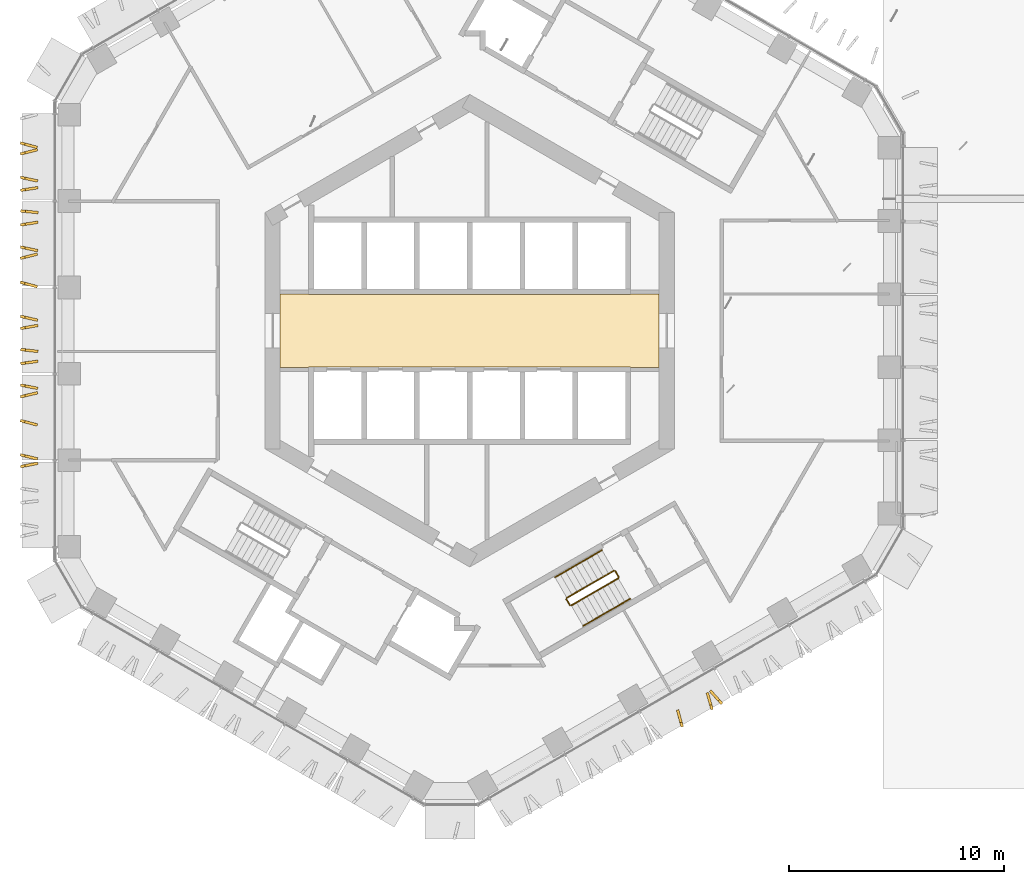
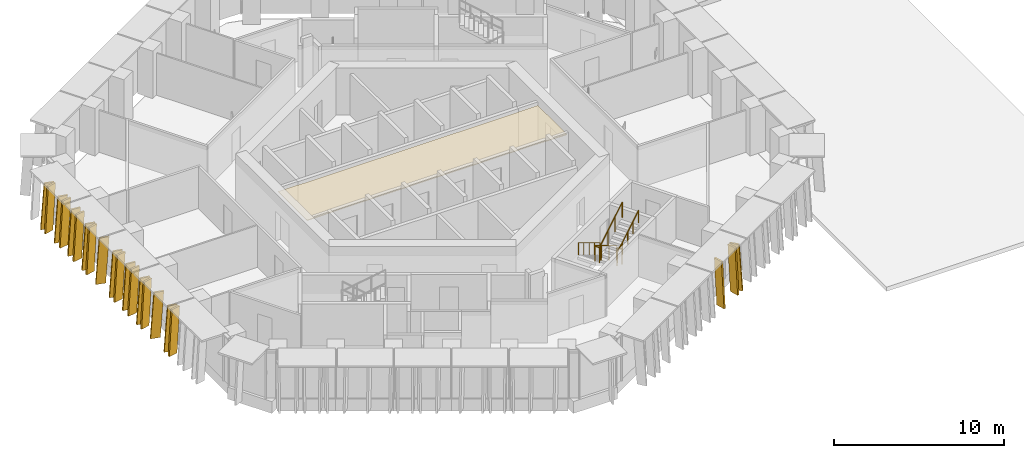
# One storey, part 23 of 25: 21 shading devices, 8 railings, 1 covering.
"""IFC4 building model written with IfcOpenShell, lengths in metres."""

from ifc_helpers import new_model, si_unit, direction, frame, origin, origin_2d, place, context, subcontext, project, spatial, polyline, circle, outline, extrude, material, layer, layer_set, type_object, element, save


model = new_model("IFC4")

# Units and contexts
model_context = context("Model", 3, precision=1e-05, world=origin(), true_north=direction((0.0, 1.0)))
body_context = subcontext(model_context, "Body", "Model", "MODEL_VIEW")
ifc_project = project(units=[si_unit("LENGTHUNIT", "METRE"), si_unit("AREAUNIT", "SQUARE_METRE"), si_unit("VOLUMEUNIT", "CUBIC_METRE"), si_unit("PLANEANGLEUNIT", "RADIAN"), si_unit("MASSUNIT", "GRAM", prefix="KILO")], contexts=[model_context])

# Site, building, storey
site_placement = place(None, origin())
site = spatial("IfcSite", under=ifc_project, at=site_placement, CompositionType="ELEMENT")
building_placement = place(site_placement, origin())
building = spatial("IfcBuilding", under=site, at=building_placement, Name="Ayvan Gate Tower", CompositionType="ELEMENT")
storey_placement = place(building_placement, frame((0.0, 0.0, 132.5)))
storey = spatial("IfcBuildingStorey", under=building, at=storey_placement, Name="L35", CompositionType="ELEMENT", Elevation=132.5)

# Shading devices
ifc_material_1 = material(Name="Bronze anodised aluminium", Category="aluminium")
ifc_layer_1 = layer(ifc_material_1, 0.1201171875)
ifc_layer_set_1 = layer_set([ifc_layer_1], Name="Bronze anodised aluminium")
shading_device_type = type_object("IfcShadingDeviceType", Name="Bronze fin 600 x 120", PredefinedType="USERDEFINED", material=ifc_layer_set_1)
shading_device_1_placement = place(storey_placement, frame((-20.266845703125, 8.62060546875, 0.0), z_axis=(0.258725893098, 0.965950681073, 0.000440426825), x_axis=(-0.965950774756, 0.258725918202, -2.3182e-08)))
element("IfcShadingDevice", 1, at=shading_device_1_placement, inside=storey, type_object=shading_device_type, Name="Bronze fin FG12.3.28", ObjectType="FIN", PredefinedType="USERDEFINED", context=body_context, shape_type="SweptSolid", body=[
    extrude(outline(polyline([(0.0, 0.0), (0.6000285213002343, 0.0), (0.3837875877383701, 3.2800296238951656), (-0.21647676138773228, 3.280029596069915), (0.0, 0.0)])), origin(), (0.0, 0.0, -1.0), 0.1201171875),
])
shading_device_2_placement = place(storey_placement, frame((-20.2919921875, 8.409912109375, 0.0), z_axis=(-0.242487733686, 0.970154364051, 0.000457083773), x_axis=(-0.970154465393, -0.242487759027, 2.2552e-08)))
element("IfcShadingDevice", 2, at=shading_device_2_placement, inside=storey, type_object=shading_device_type, Name="Bronze fin FG12.3.29", ObjectType="FIN", PredefinedType="USERDEFINED", context=body_context, shape_type="SweptSolid", body=[
    extrude(outline(polyline([(0.0, 0.0), (0.599944079559841, 0.0), (0.3836397257136315, 3.280029630864218), (-0.21654120796373727, 3.2800296579294277), (0.0, 0.0)])), origin(), (0.0, 0.0, -1.0), 0.1201171875),
])
shading_device_3_placement = place(storey_placement, frame((-20.254638671875, 7.0546875, 0.0), z_axis=(0.205067093674, 0.978747805222, 0.000469962837), x_axis=(-0.97874791331, 0.205067116311, 1.9602e-08)))
element("IfcShadingDevice", 3, at=shading_device_3_placement, inside=storey, type_object=shading_device_type, Name="Bronze fin FG12.3.30", ObjectType="FIN", PredefinedType="USERDEFINED", context=body_context, shape_type="SweptSolid", body=[
    extrude(outline(polyline([(0.0, 0.0), (0.6001516860458093, 6.776263578034403e-21), (0.3835679957752808, 3.280029651578166), (-0.21634473814325555, 3.280029675102272), (0.0, 0.0)])), origin(), (0.0, 0.0, -1.0), 0.1201171875),
])
shading_device_4_placement = place(storey_placement, frame((-20.264404296875, 6.66943359375, 0.0), z_axis=(-0.150956354175, 0.988540330106, 0.000441461744), x_axis=(-0.988540426432, -0.150956368891, 1.3561e-08)))
element("IfcShadingDevice", 4, at=shading_device_4_placement, inside=storey, type_object=shading_device_type, Name="Bronze fin FG12.3.31", ObjectType="FIN", PredefinedType="USERDEFINED", context=body_context, shape_type="SweptSolid", body=[
    extrude(outline(polyline([(0.0, 0.0), (0.5998948995759216, -6.776263578034403e-21), (0.38351985391858484, 3.2800296112942298), (-0.21661638853488369, 3.280029627567391), (0.0, 0.0)])), origin(), (0.0, 0.0, -1.0), 0.1201171875),
])
shading_device_5_placement = place(storey_placement, frame((-20.2412109375, 5.564697265625, 0.0), z_axis=(0.094424936455, 0.995531873137, 0.000470046493), x_axis=(-0.995531983115, 0.094424946886, 0.0)))
element("IfcShadingDevice", 5, at=shading_device_5_placement, inside=storey, type_object=shading_device_type, Name="Bronze fin FG12.3.32", ObjectType="FIN", PredefinedType="USERDEFINED", context=body_context, shape_type="SweptSolid", body=[
    extrude(outline(polyline([(0.0, 0.0), (0.5998481001898661, 3.3881317890172014e-21), (0.3834034091919473, 3.2800296592259737), (-0.2164446909979188, 3.2800296592259737), (0.0, 0.0)])), origin(), (0.0, 0.0, -1.0), 0.1201171875),
])
shading_device_6_placement = place(storey_placement, frame((-20.265380859375, 5.063720703125, 0.0), z_axis=(-0.156213230418, 0.987723238161, 0.000481080938), x_axis=(-0.98772335246, -0.156213248494, 0.0)))
element("IfcShadingDevice", 6, at=shading_device_6_placement, inside=storey, type_object=shading_device_type, Name="Bronze fin FG12.3.33", ObjectType="FIN", PredefinedType="USERDEFINED", context=body_context, shape_type="SweptSolid", body=[
    extrude(outline(polyline([(0.0, 0.0), (0.60014115898309, 0.0), (0.3838653275484653, 3.280029676438202), (-0.21627583143462467, 3.280029676438202), (0.0, 0.0)])), origin(), (0.0, 0.0, -1.0), 0.1201171875),
])
shading_device_7_placement = place(storey_placement, frame((-20.25537109375, 3.821044921875, 0.0), z_axis=(0.208111763884, 0.978104946976, 0.00045435094), x_axis=(-0.978105047925, 0.208111785405, -9.0402e-08)))
element("IfcShadingDevice", 7, at=shading_device_7_placement, inside=storey, type_object=shading_device_type, Name="Bronze fin FG12.3.34", ObjectType="FIN", PredefinedType="USERDEFINED", context=body_context, shape_type="SweptSolid", body=[
    extrude(outline(polyline([(0.0, 0.0), (0.6000775804047945, 6.776263578034403e-21), (0.38357622858103696, 3.280029670107305), (-0.21645054328239877, 3.280029561615085), (0.0, 0.0)])), origin(), (0.0, 0.0, -1.0), 0.1201171875),
])
shading_device_8_placement = place(storey_placement, frame((-20.29248046875, 3.5634765625, 0.0), z_axis=(-0.243780275478, 0.96983037807, 0.000463746765), x_axis=(-0.969830482356, -0.243780301692, 0.0)))
element("IfcShadingDevice", 8, at=shading_device_8_placement, inside=storey, type_object=shading_device_type, Name="Bronze fin FG12.3.35", ObjectType="FIN", PredefinedType="USERDEFINED", context=body_context, shape_type="SweptSolid", body=[
    extrude(outline(polyline([(0.0, 0.0), (0.5998853613691312, 0.0), (0.3835235672617396, 3.2800296495783496), (-0.21636179410739162, 3.2800296495783496), (0.0, 0.0)])), origin(), (0.0, 0.0, -1.0), 0.1201171875),
])
shading_device_9_placement = place(storey_placement, frame((-20.266845703125, 2.154296875, 0.0), z_axis=(0.258397037578, 0.966038688519, 0.000472498825), x_axis=(-0.966038796356, 0.258397066422, 0.0)))
element("IfcShadingDevice", 9, at=shading_device_9_placement, inside=storey, type_object=shading_device_type, Name="Bronze fin FG12.3.36", ObjectType="FIN", PredefinedType="USERDEFINED", context=body_context, shape_type="SweptSolid", body=[
    extrude(outline(polyline([(0.0, 0.0), (0.5999653905582442, 2.710505431213761e-20), (0.3837250481029224, 3.2800296630167605), (-0.2162403424553217, 3.2800296630167605), (0.0, 0.0)])), origin(), (0.0, 0.0, -1.0), 0.1201171875),
])
shading_device_10_placement = place(storey_placement, frame((-20.2578125, 0.594970703125, 0.0), z_axis=(0.220741645881, 0.975332212309, 0.000448783058), x_axis=(-0.975332310519, 0.22074166815, -8.9048e-08)))
element("IfcShadingDevice", 10, at=shading_device_10_placement, inside=storey, type_object=shading_device_type, Name="Bronze fin FG12.3.38", ObjectType="FIN", PredefinedType="USERDEFINED", context=body_context, shape_type="SweptSolid", body=[
    extrude(outline(polyline([(0.0, 0.0), (0.6000327817674592, -6.776263578034403e-21), (0.3836502628944393, 3.280029661347523), (-0.21632862686419432, 3.2800295544888898), (0.0, 0.0)])), origin(), (0.0, 0.0, -1.0), 0.1201171875),
])
shading_device_11_placement = place(storey_placement, frame((-20.269775390625, 0.267578125, 0.0), z_axis=(-0.172508613518, 0.985007908792, 0.000444835551), x_axis=(-0.985008006248, -0.172508630586, 0.0)))
element("IfcShadingDevice", 11, at=shading_device_11_placement, inside=storey, type_object=shading_device_type, Name="Bronze fin FG12.3.39", ObjectType="FIN", PredefinedType="USERDEFINED", context=body_context, shape_type="SweptSolid", body=[
    extrude(outline(polyline([(0.0, 0.0), (0.6000605572499296, 0.0), (0.38368952059045797, 3.2800296213989606), (-0.21637103665947158, 3.2800296213989606), (0.0, 0.0)])), origin(), (0.0, 0.0, -1.0), 0.1201171875),
])
shading_device_12_placement = place(storey_placement, frame((-20.242431640625, -0.879638671875, 0.0), z_axis=(0.113156262658, 0.993577112045, 0.000427366039), x_axis=(-0.993577202779, 0.113156272992, 0.0)))
element("IfcShadingDevice", 12, at=shading_device_12_placement, inside=storey, type_object=shading_device_type, Name="Bronze fin FG12.3.40", ObjectType="FIN", PredefinedType="USERDEFINED", context=body_context, shape_type="SweptSolid", body=[
    extrude(outline(polyline([(0.0, 0.0), (0.5997996571962472, 6.776263578034403e-21), (0.3834074444562923, 3.2800295964101562), (-0.21639221273995485, 3.2800295964101562), (0.0, 0.0)])), origin(), (0.0, 0.0, -1.0), 0.1201171875),
])
shading_device_13_placement = place(storey_placement, frame((-20.260009765625, -1.3857421875, 0.0), z_axis=(-0.132843273079, 0.99113694708, 0.000465758648), x_axis=(-0.991137054578, -0.132843287532, 9.3909e-08)))
element("IfcShadingDevice", 13, at=shading_device_13_placement, inside=storey, type_object=shading_device_type, Name="Bronze fin FG12.3.41", ObjectType="FIN", PredefinedType="USERDEFINED", context=body_context, shape_type="SweptSolid", body=[
    extrude(outline(polyline([(0.0, 0.0), (0.6000609423767406, 1.3552527156068805e-20), (0.3837311920094886, 3.280029616609296), (-0.21629731792400692, 3.2800297293090463), (0.0, 0.0)])), origin(), (0.0, 0.0, -1.0), 0.1201171875),
])
shading_device_14_placement = place(storey_placement, frame((-20.251953125, -2.578125, 0.0), z_axis=(0.189617008227, 0.981858027581, 0.00045151594), x_axis=(-0.981858127665, 0.189617027556, 0.0)))
element("IfcShadingDevice", 14, at=shading_device_14_placement, inside=storey, type_object=shading_device_type, Name="Bronze fin FG12.3.42", ObjectType="FIN", PredefinedType="USERDEFINED", context=body_context, shape_type="SweptSolid", body=[
    extrude(outline(polyline([(0.0, 0.0), (0.5999963859608207, 0.0), (0.3836321096582847, 3.280029631219333), (-0.21636427630253602, 3.280029631219333), (0.0, 0.0)])), origin(), (0.0, 0.0, -1.0), 0.1201171875),
])
shading_device_15_placement = place(storey_placement, frame((-20.288330078125, -2.8720703125, 0.0), z_axis=(-0.232326364196, 0.972637782156, 0.000453015188), x_axis=(-0.972637881957, -0.232326388045, 2.1416e-08)))
element("IfcShadingDevice", 15, at=shading_device_15_placement, inside=storey, type_object=shading_device_type, Name="Bronze fin FG12.3.43", ObjectType="FIN", PredefinedType="USERDEFINED", context=body_context, shape_type="SweptSolid", body=[
    extrude(outline(polyline([(0.0, 0.0), (0.5999177015261541, -2.710505431213761e-20), (0.3836453670486684, 3.280029625227401), (-0.21650979489788538, 3.280029650927648), (0.0, 0.0)])), origin(), (0.0, 0.0, -1.0), 0.1201171875),
])
shading_device_16_placement = place(storey_placement, frame((-20.26611328125, -4.263916015625, 0.0), z_axis=(0.255534629013, 0.966799806583, 0.000432858007), x_axis=(-0.966799897156, 0.255534652952, 0.0)))
element("IfcShadingDevice", 16, at=shading_device_16_placement, inside=storey, type_object=shading_device_type, Name="Bronze fin FG12.3.44", ObjectType="FIN", PredefinedType="USERDEFINED", context=body_context, shape_type="SweptSolid", body=[
    extrude(outline(polyline([(0.0, 0.0), (0.5999981244375796, -1.3552527156068805e-20), (0.3837144448591673, 3.2800296041581167), (-0.21628367957841238, 3.2800296041581167), (0.0, 0.0)])), origin(), (0.0, 0.0, -1.0), 0.1201171875),
])
shading_device_17_placement = place(storey_placement, frame((-20.260986328125, -5.843505859375, 0.0), z_axis=(0.234773087381, 0.972050096627, 0.000455070006), x_axis=(-0.972050197277, 0.234773111691, 0.0)))
element("IfcShadingDevice", 17, at=shading_device_17_placement, inside=storey, type_object=shading_device_type, Name="Bronze fin FG12.3.46", ObjectType="FIN", PredefinedType="USERDEFINED", context=body_context, shape_type="SweptSolid", body=[
    extrude(outline(polyline([(0.0, 0.0), (0.6000224625833214, 0.0), (0.38366391386252335, 3.280029636503572), (-0.21635854872079807, 3.280029636503572), (0.0, 0.0)])), origin(), (0.0, 0.0, -1.0), 0.1201171875),
])
shading_device_18_placement = place(storey_placement, frame((-20.275634765625, -6.13623046875, 0.0), z_axis=(-0.192710293315, 0.981255580111, 0.000478907521), x_axis=(-0.981255692628, -0.192710315459, 9.5625e-08)))
element("IfcShadingDevice", 18, at=shading_device_18_placement, inside=storey, type_object=shading_device_type, Name="Bronze fin FG12.3.47", ObjectType="FIN", PredefinedType="USERDEFINED", context=body_context, shape_type="SweptSolid", body=[
    extrude(outline(polyline([(0.0, 0.0), (0.599890665150071, 0.0), (0.38346741671078327, 3.2800296363472965), (-0.21637620002242755, 3.28002975107198), (0.0, 0.0)])), origin(), (0.0, 0.0, -1.0), 0.1201171875),
])
shading_device_19_placement = place(storey_placement, frame((9.649169921875, -17.8291015625, 0.0), z_axis=(-0.963756485917, -0.266783098192, 0.000463004246), x_axis=(0.266783126747, -0.963756589229, -9.081e-08)))
element("IfcShadingDevice", 19, at=shading_device_19_placement, inside=storey, type_object=shading_device_type, Name="Bronze fin FG12.7.90", ObjectType="FIN", PredefinedType="USERDEFINED", context=body_context, shape_type="SweptSolid", body=[
    extrude(outline(polyline([(0.0, 0.0), (0.5998336306920176, -4.0657581468206416e-20), (0.38344276654199144, 3.280029683270089), (-0.21645599674932947, 3.2800295743229158), (0.0, 0.0)])), origin(), (0.0, 0.0, -1.0), 0.1201171875),
])
shading_device_20_placement = place(storey_placement, frame((11.030517578125, -17.029296875, 0.0), z_axis=(-0.961646600488, -0.274291074367, 0.000471479955), x_axis=(0.274291104853, -0.961646707371, 0.0)))
element("IfcShadingDevice", 20, at=shading_device_20_placement, inside=storey, type_object=shading_device_type, Name="Bronze fin FG12.7.92", ObjectType="FIN", PredefinedType="USERDEFINED", context=body_context, shape_type="SweptSolid", body=[
    extrude(outline(polyline([(0.0, 0.0), (0.5999129331518229, 0.0), (0.38354250347764013, 3.280029661439407), (-0.21637042967418274, 3.280029661439407), (0.0, 0.0)])), origin(), (0.0, 0.0, -1.0), 0.1201171875),
])
shading_device_21_placement = place(storey_placement, frame((11.262939453125, -16.91455078125, 0.0), z_axis=(-0.743637855626, -0.66858250313, 0.000419748533), x_axis=(0.668582562048, -0.743637921118, 6.3481e-08)))
element("IfcShadingDevice", 21, at=shading_device_21_placement, inside=storey, type_object=shading_device_type, Name="Bronze fin FG12.7.93", ObjectType="FIN", PredefinedType="USERDEFINED", context=body_context, shape_type="SweptSolid", body=[
    extrude(outline(polyline([(0.0, 0.0), (0.6002245731961395, 0.0), (0.38371426609793086, 3.280029561468561), (-0.21634707893364616, 3.2800296376644797), (0.0, 0.0)])), origin(), (0.0, 0.0, -1.0), 0.1201171875),
])

# Covering
ifc_material_2 = material(Name="Plasterboard suspended ceiling")
ifc_layer_2 = layer(ifc_material_2, 0.050048828125)
ifc_layer_set_2 = layer_set([ifc_layer_2], Name="Plasterboard suspended ceiling")
covering_type = type_object("IfcCoveringType", Name="CT-SUSP-50", PredefinedType="CEILING", material=ifc_layer_set_2)
covering_placement = place(storey_placement, frame((0.0, 0.0, 2.699951171875)))
element("IfcCovering", 22, at=covering_placement, inside=storey, type_object=covering_type, Name="Ceiling Lift Lobby L35", PredefinedType="CEILING", context=body_context, shape_type="SweptSolid", body=[
    extrude(outline(polyline([(7.47509765625, -1.675048828125), (-7.47509765625, -1.675048828125), (-7.47509765625, -1.699951171875), (-8.800048828125, -1.699951171875), (-8.800048828125, 1.699951171875), (-7.47509765625, 1.699951171875), (-7.47509765625, 1.675048828125), (7.47509765625, 1.675048828125), (7.47509765625, 1.699951171875), (8.800048828125, 1.699951171875), (8.800048828125, -1.699951171875), (7.47509765625, -1.699951171875), (7.47509765625, -1.675048828125)])), origin(), (0.0, 0.0, 1.0), 0.050048828125),
])

# Railings
ifc_material_3 = material(Name="Stainless steel balustrade", Category="steel")
railing_type_1 = type_object("IfcRailingType", Name="RL-GUARD-1100", PredefinedType="GUARDRAIL", material=ifc_material_3)
railing_1_placement = place(storey_placement, frame((6.6923828125, -11.1416015625, 0.169921875)))
element("IfcRailing", 23, at=railing_1_placement, inside=storey, type_object=railing_type_1, Name="L35 STS3 stair guard 1", PredefinedType="GUARDRAIL", context=body_context, shape_type="SweptSolid", body=[
    extrude(circle(Radius=0.02392578125, at=origin_2d()), frame((0.0, 0.0, 1.076171875), z_axis=(-0.740261155115, -0.427395438142, 0.518986090067), x_axis=(0.500004791531, -0.866022637375, 0.0)), (0.0, 0.0, 1.0), 2.947998046875),
    extrude(circle(Radius=0.02099609375, at=origin_2d()), origin(), (0.0, 0.0, 1.0), 1.052001953125),
    extrude(circle(Radius=0.02099609375, at=origin_2d()), frame((-0.7275390625, -0.419921875, 0.510009765625)), (0.0, 0.0, 1.0), 1.052001953125),
    extrude(circle(Radius=0.02099609375, at=origin_2d()), frame((-1.454833984375, -0.840087890625, 1.02001953125)), (0.0, 0.0, 1.0), 1.052001953125),
    extrude(circle(Radius=0.02099609375, at=origin_2d()), frame((-2.182373046875, -1.260009765625, 1.530029296875)), (0.0, 0.0, 1.0), 1.052001953125),
])
railing_2_placement = place(storey_placement, frame((4.49169921875, -12.4697265625, 1.699951171875)))
element("IfcRailing", 24, at=railing_2_placement, inside=storey, type_object=railing_type_1, Name="L35 STS3 stair guard 2", PredefinedType="GUARDRAIL", context=body_context, shape_type="SweptSolid", body=[
    extrude(circle(Radius=0.02392578125, at=origin_2d()), frame((0.0, 0.0, 1.076171875), z_axis=(0.499949632511, -0.866054481515, 0.0), x_axis=(0.866054481515, 0.499949632511, 0.0)), (0.0, 0.0, 1.0), 0.31005859375),
    extrude(circle(Radius=0.02099609375, at=origin_2d()), origin(), (0.0, 0.0, 1.0), 1.052001953125),
    extrude(circle(Radius=0.02099609375, at=origin_2d()), frame((0.155029296875, -0.2685546875, 0.0)), (0.0, 0.0, 1.0), 1.052001953125),
])
railing_3_placement = place(storey_placement, frame((4.715087890625, -12.756591796875, 1.8701171875)))
element("IfcRailing", 25, at=railing_3_placement, inside=storey, type_object=railing_type_1, Name="L35 STS3 stair guard 3", PredefinedType="GUARDRAIL", context=body_context, shape_type="SweptSolid", body=[
    extrude(circle(Radius=0.02392578125, at=origin_2d()), frame((0.0, 0.0, 1.076171875), z_axis=(0.740292969978, 0.427413806696, 0.51892557891), x_axis=(-0.500004791531, 0.866022637375, 0.0)), (0.0, 0.0, 1.0), 2.947998046875),
    extrude(circle(Radius=0.02099609375, at=origin_2d()), origin(), (0.0, 0.0, 1.0), 1.052001953125),
    extrude(circle(Radius=0.02099609375, at=origin_2d()), frame((0.7275390625, 0.419921875, 0.510009765625)), (0.0, 0.0, 1.0), 1.052001953125),
    extrude(circle(Radius=0.02099609375, at=origin_2d()), frame((1.454833984375, 0.840087890625, 1.019775390625)), (0.0, 0.0, 1.0), 1.052001953125),
    extrude(circle(Radius=0.02099609375, at=origin_2d()), frame((2.182373046875, 1.260009765625, 1.52978515625)), (0.0, 0.0, 1.0), 1.052001953125),
])
railing_4_placement = place(storey_placement, frame((6.7607421875, -11.159912109375, 0.0)))
element("IfcRailing", 26, at=railing_4_placement, inside=storey, type_object=railing_type_1, Name="L35 STS3 stair guard 4", PredefinedType="GUARDRAIL", context=body_context, shape_type="SweptSolid", body=[
    extrude(circle(Radius=0.02392578125, at=origin_2d()), frame((0.0, 0.0, 1.076171875), z_axis=(0.500290723946, -0.86585748916, 0.0), x_axis=(0.86585748916, 0.500290723946, 0.0)), (0.0, 0.0, 1.0), 0.309814453125),
    extrude(circle(Radius=0.02099609375, at=origin_2d()), origin(), (0.0, 0.0, 1.0), 1.052001953125),
    extrude(circle(Radius=0.02099609375, at=origin_2d()), frame((0.155029296875, -0.268310546875, 0.0)), (0.0, 0.0, 1.0), 1.052001953125),
])
railing_type_2 = type_object("IfcRailingType", Name="RL-HANDRAIL-900", PredefinedType="HANDRAIL", material=ifc_material_3)
railing_5_placement = place(storey_placement, frame((6.142333984375, -10.18896484375, 0.169921875)))
element("IfcRailing", 27, at=railing_5_placement, inside=storey, type_object=railing_type_2, Name="L35 STS3 stair handrail 1", PredefinedType="HANDRAIL", context=body_context, shape_type="SweptSolid", body=[
    extrude(circle(Radius=0.02392578125, at=origin_2d()), frame((0.0, 0.0, 0.8759765625), z_axis=(-0.740218099111, -0.427335577468, 0.519096782863), x_axis=(0.499974077718, -0.866040369504, 0.0)), (0.0, 0.0, 1.0), 1.473876953125),
    extrude(circle(Radius=0.02099609375, at=origin_2d()), origin(), (0.0, 0.0, 1.0), 0.851806640625),
    extrude(circle(Radius=0.02099609375, at=origin_2d()), frame((-0.54541015625, -0.31494140625, 0.382568359375)), (0.0, 0.0, 1.0), 0.851806640625),
    extrude(circle(Radius=0.02099609375, at=origin_2d()), frame((-1.091064453125, -0.6298828125, 0.76513671875)), (0.0, 0.0, 1.0), 0.851806640625),
])
railing_6_placement = place(storey_placement, frame((5.05126953125, -10.81884765625, 0.93505859375)))
element("IfcRailing", 28, at=railing_6_placement, inside=storey, type_object=railing_type_2, Name="L35 STS3 stair handrail 2", PredefinedType="HANDRAIL", context=body_context, shape_type="SweptSolid", body=[
    extrude(circle(Radius=0.02392578125, at=origin_2d()), frame((0.0, 0.0, 0.8759765625), z_axis=(-0.740304193401, -0.427455284825, 0.518875399983), x_axis=(0.500035496587, -0.86600490885, 0.0)), (0.0, 0.0, 1.0), 1.47412109375),
    extrude(circle(Radius=0.02099609375, at=origin_2d()), origin(), (0.0, 0.0, 1.0), 0.851806640625),
    extrude(circle(Radius=0.02099609375, at=origin_2d()), frame((-0.545654296875, -0.31494140625, 0.38232421875)), (0.0, 0.0, 1.0), 0.851806640625),
    extrude(circle(Radius=0.02099609375, at=origin_2d()), frame((-1.09130859375, -0.630126953125, 0.764892578125)), (0.0, 0.0, 1.0), 0.851806640625),
])
railing_7_placement = place(storey_placement, frame((5.264892578125, -13.709228515625, 1.8701171875)))
element("IfcRailing", 29, at=railing_7_placement, inside=storey, type_object=railing_type_2, Name="L35 STS3 stair handrail 3", PredefinedType="HANDRAIL", context=body_context, shape_type="SweptSolid", body=[
    extrude(circle(Radius=0.02392578125, at=origin_2d()), frame((0.0, 0.0, 0.8759765625), z_axis=(0.740304193401, 0.427455284825, 0.518875399983), x_axis=(-0.500035496587, 0.86600490885, 0.0)), (0.0, 0.0, 1.0), 1.47412109375),
    extrude(circle(Radius=0.02099609375, at=origin_2d()), origin(), (0.0, 0.0, 1.0), 0.851806640625),
    extrude(circle(Radius=0.02099609375, at=origin_2d()), frame((0.545654296875, 0.31494140625, 0.38232421875)), (0.0, 0.0, 1.0), 0.851806640625),
    extrude(circle(Radius=0.02099609375, at=origin_2d()), frame((1.09130859375, 0.630126953125, 0.764892578125)), (0.0, 0.0, 1.0), 0.851806640625),
])
railing_8_placement = place(storey_placement, frame((6.356201171875, -13.0791015625, 2.635009765625)))
element("IfcRailing", 30, at=railing_8_placement, inside=storey, type_object=railing_type_2, Name="L35 STS3 stair handrail 4", PredefinedType="HANDRAIL", context=body_context, shape_type="SweptSolid", body=[
    extrude(circle(Radius=0.02392578125, at=origin_2d()), frame((0.0, 0.0, 0.8759765625), z_axis=(0.740281741151, 0.427372318678, 0.518975765278), x_axis=(-0.499974077718, 0.866040369504, 0.0)), (0.0, 0.0, 1.0), 1.473876953125),
    extrude(circle(Radius=0.02099609375, at=origin_2d()), origin(), (0.0, 0.0, 1.0), 0.851806640625),
    extrude(circle(Radius=0.02099609375, at=origin_2d()), frame((0.54541015625, 0.31494140625, 0.38232421875)), (0.0, 0.0, 1.0), 0.851806640625),
    extrude(circle(Radius=0.02099609375, at=origin_2d()), frame((1.091064453125, 0.6298828125, 0.764892578125)), (0.0, 0.0, 1.0), 0.851806640625),
])

save(model, "model.ifc")
